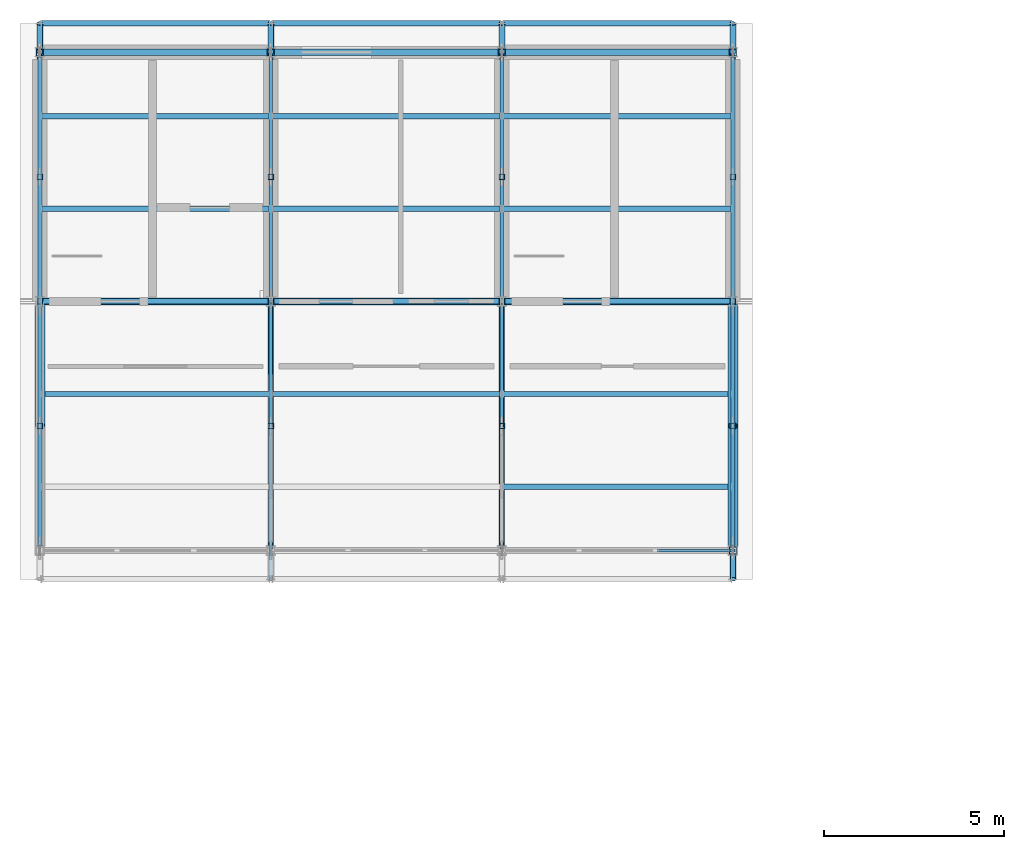
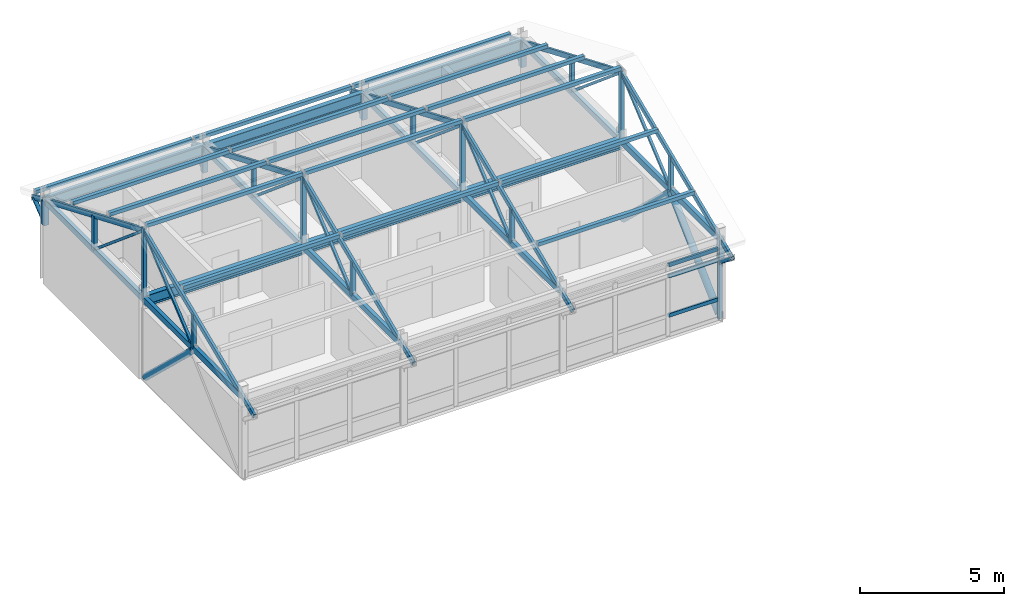
# One storey, part 2 of 11: 65 members, 6 beams, 1 element without a shape of its own.
"""IFC4 building model written with IfcOpenShell, lengths in metres."""

from ifc_helpers import new_model, si_unit, direction, frame, origin, origin_2d, place, context, subcontext, project, spatial, rectangle, hollow_rectangle, hollow_circle, i_section, extrude, material, layer, layer_set, material_profile, profile_set, type_object, element, aggregate, save


model = new_model("IFC4")

# Units and contexts
model_context = context("Model", 3, precision=1e-05, world=origin(), true_north=direction((0.0, 1.0)))
body_context = subcontext(model_context, "Body", "Model", "MODEL_VIEW")
ifc_project = project(units=[si_unit("LENGTHUNIT", "METRE"), si_unit("AREAUNIT", "SQUARE_METRE"), si_unit("VOLUMEUNIT", "CUBIC_METRE"), si_unit("PLANEANGLEUNIT", "RADIAN"), si_unit("MASSUNIT", "GRAM", prefix="KILO")], contexts=[model_context])

# Site, building, storey
site_placement = place(None, origin())
site = spatial("IfcSite", under=ifc_project, at=site_placement, CompositionType="ELEMENT")
building_placement = place(site_placement, origin())
building = spatial("IfcBuilding", under=site, at=building_placement, Name="Trelmorton Wharf Fire Station", CompositionType="ELEMENT")
storey_placement = place(building_placement, frame((0.0, 0.0, 25.199951171875)))
storey = spatial("IfcBuildingStorey", under=building, at=storey_placement, Name="L06", CompositionType="ELEMENT", Elevation=25.199951171875)

# Beams
ifc_material_1 = material(Name="Steel Grade 350", Category="steel")
ifc_material_profile_1 = material_profile(ifc_material_1, i_section(OverallWidth=0.18994140625, OverallDepth=0.45703125, WebThickness=0.009033203125, FlangeThickness=0.014404296875, FilletRadius=0.011474609375, at=origin_2d()), Name="460UB74.6")
ifc_profile_set_1 = profile_set([ifc_material_profile_1], Name="Steel Grade 350")
beam_type = type_object("IfcBeamType", Name="BM_460UB75", PredefinedType="BEAM", material=ifc_profile_set_1)
beam_1_placement = place(storey_placement, frame((70.803955078125, 67.199951171875, 3.29150390625), z_axis=(1.0, 0.0, 0.0), x_axis=(0.0, 1.0, 0.0)))
element("IfcBeam", 1, at=beam_1_placement, inside=storey, type_object=beam_type, Name="BM-L06-1196", PredefinedType="BEAM", context=body_context, shape_type="SweptSolid", body=[
    extrude(i_section(OverallWidth=0.18994140625, OverallDepth=0.45703125, WebThickness=0.009033203125, FlangeThickness=0.014404296875, FilletRadius=0.011474609375, at=origin_2d()), origin(), (0.0, 0.0, 1.0), 6.39208984375),
])
beam_2_placement = place(storey_placement, frame((77.2041015625, 67.199951171875, 3.29150390625), z_axis=(1.0, 0.0, 0.0), x_axis=(0.0, 1.0, 0.0)))
element("IfcBeam", 2, at=beam_2_placement, inside=storey, type_object=beam_type, Name="BM-L06-1197", PredefinedType="BEAM", context=body_context, shape_type="SweptSolid", body=[
    extrude(i_section(OverallWidth=0.18994140625, OverallDepth=0.45703125, WebThickness=0.009033203125, FlangeThickness=0.014404296875, FilletRadius=0.011474609375, at=origin_2d()), origin(), (0.0, 0.0, 1.0), 6.391845703125),
])
for number, where, z_axis, x_axis, name in (
    (3, (83.60400390625, 67.199951171875, 3.29150390625), (1.0, 0.0, 0.0), (0.0, 1.0, 0.0), "BM-L06-1198"),
    (4, (70.803955078125, 74.10009765625, 3.29150390625), (1.0, 0.0, 0.0), (0.0, 1.0, 0.0), "BM-L06-1199"),
):
    element("IfcBeam", number, at=place(storey_placement, frame(where, z_axis=z_axis, x_axis=x_axis)), inside=storey, type_object=beam_type, Name=name, PredefinedType="BEAM", context=body_context, shape_type="SweptSolid", body=[
        extrude(i_section(OverallWidth=0.18994140625, OverallDepth=0.45703125, WebThickness=0.009033203125, FlangeThickness=0.014404296875, FilletRadius=0.011474609375, at=origin_2d()), origin(), (0.0, 0.0, 1.0), 6.39208984375),
    ])
beam_3_placement = place(storey_placement, frame((77.2041015625, 74.10009765625, 3.29150390625), z_axis=(1.0, 0.0, 0.0), x_axis=(0.0, 1.0, 0.0)))
element("IfcBeam", 5, at=beam_3_placement, inside=storey, type_object=beam_type, Name="BM-L06-1200", PredefinedType="BEAM", context=body_context, shape_type="SweptSolid", body=[
    extrude(i_section(OverallWidth=0.18994140625, OverallDepth=0.45703125, WebThickness=0.009033203125, FlangeThickness=0.014404296875, FilletRadius=0.011474609375, at=origin_2d()), origin(), (0.0, 0.0, 1.0), 6.391845703125),
])
beam_4_placement = place(storey_placement, frame((83.60400390625, 74.10009765625, 3.29150390625), z_axis=(1.0, 0.0, 0.0), x_axis=(0.0, 1.0, 0.0)))
element("IfcBeam", 6, at=beam_4_placement, inside=storey, type_object=beam_type, Name="BM-L06-1201", PredefinedType="BEAM", context=body_context, shape_type="SweptSolid", body=[
    extrude(i_section(OverallWidth=0.18994140625, OverallDepth=0.45703125, WebThickness=0.009033203125, FlangeThickness=0.014404296875, FilletRadius=0.011474609375, at=origin_2d()), origin(), (0.0, 0.0, 1.0), 6.39208984375),
])

# Members
ifc_material_2 = material(Name="Steel C350L0 (350 MPa)", Category="steel")
ifc_material_profile_2 = material_profile(ifc_material_2, hollow_circle(Radius=0.136474609375, WallThickness=0.00927734375, at=origin_2d()), Name="273.1x9.3CHS")
ifc_profile_set_2 = profile_set([ifc_material_profile_2], Name="Steel C350L0 (350 MPa)")
member_type_1 = type_object("IfcMemberType", Name="BR_273CHS", PredefinedType="BRACE", material=ifc_profile_set_2)
member_1_placement = place(storey_placement, frame((70.800048828125, 67.072998046875, 0.1201171875), z_axis=(0.0, -0.724665699135, 0.689100590986), x_axis=(1.0, 0.0, 0.0)))
element("IfcMember", 7, at=member_1_placement, inside=storey, type_object=member_type_1, Name="CBF-V2-W-L06-B", PredefinedType="BRACE", context=body_context, shape_type="SweptSolid", body=[
    extrude(hollow_circle(Radius=0.136474609375, WallThickness=0.00927734375, at=origin_2d()), origin(), (0.0, 0.0, 1.0), 4.58544921875),
])
member_2_placement = place(storey_placement, frame((90.0, 60.422119140625, 0.1201171875), z_axis=(0.0, 0.725170756074, 0.688569077534), x_axis=(-1.0, 0.0, 0.0)))
element("IfcMember", 8, at=member_2_placement, inside=storey, type_object=member_type_1, Name="CBF-V2-E-L06-A", PredefinedType="BRACE", context=body_context, shape_type="SweptSolid", body=[
    extrude(hollow_circle(Radius=0.136474609375, WallThickness=0.00927734375, at=origin_2d()), origin(), (0.0, 0.0, 1.0), 4.589111328125),
])
member_3_placement = place(storey_placement, frame((90.0, 67.072998046875, 0.1201171875), z_axis=(0.0, -0.724665699135, 0.689100590986), x_axis=(1.0, 0.0, 0.0)))
element("IfcMember", 9, at=member_3_placement, inside=storey, type_object=member_type_1, Name="CBF-V2-E-L06-B", PredefinedType="BRACE", context=body_context, shape_type="SweptSolid", body=[
    extrude(hollow_circle(Radius=0.136474609375, WallThickness=0.00927734375, at=origin_2d()), origin(), (0.0, 0.0, 1.0), 4.58544921875),
])

# Curtain wall, members
ifc_material_3 = material(Name="Anodised aluminium AW-6063", Category="aluminium")
ifc_layer = layer(ifc_material_3, 0.159912109375)
ifc_layer_set = layer_set([ifc_layer], Name="Anodised aluminium AW-6063")
curtain_wall_type = type_object("IfcCurtainWallType", Name="CW_CHIC_A", PredefinedType="USERDEFINED", material=ifc_layer_set)
curtain_wall_placement = place(storey_placement, origin())
curtain_wall = element("IfcCurtainWall", 10, at=curtain_wall_placement, inside=storey, type_object=curtain_wall_type, Name="CW-V2-L06-112", ObjectType="CHICAGO BAY CURTAIN WALL", PredefinedType="USERDEFINED")
ifc_material_profile_3 = material_profile(ifc_material_3, rectangle(XDim=0.074951171875, YDim=0.175048828125, at=origin_2d()), Name="ALU-75x175")
ifc_profile_set_3 = profile_set([ifc_material_profile_3], Name="Anodised aluminium AW-6063")
member_type_2 = type_object("IfcMemberType", Name="CWM_75x175", PredefinedType="MULLION", material=ifc_profile_set_3)
member_4_placement = place(storey_placement, frame((89.965087890625, 60.300048828125, 0.0), z_axis=(0.0, 0.0, 1.0), x_axis=(0.0, -1.0, 0.0)))
member_4 = element("IfcMember", 11, at=member_4_placement, type_object=member_type_2, Name="CW1 mullion 1", PredefinedType="MULLION", context=body_context, shape_type="SweptSolid", body=[
    extrude(rectangle(XDim=0.074951171875, YDim=0.175048828125, at=origin_2d()), origin(), (0.0, 0.0, 1.0), 3.02001953125),
])
ifc_material_profile_4 = material_profile(ifc_material_3, rectangle(XDim=0.074951171875, YDim=0.155029296875, at=origin_2d()), Name="ALU-75x155")
ifc_profile_set_4 = profile_set([ifc_material_profile_4], Name="Anodised aluminium AW-6063")
member_type_3 = type_object("IfcMemberType", Name="CWT_75x155", PredefinedType="USERDEFINED", material=ifc_profile_set_4)
member_5_placement = place(storey_placement, frame((89.93505859375, 60.300048828125, 0.85009765625), z_axis=(-1.0, 0.0, 0.0), x_axis=(0.0, -1.0, 0.0)))
member_5 = element("IfcMember", 12, at=member_5_placement, type_object=member_type_3, Name="CW1 transom 1.2", ObjectType="TRANSOM", PredefinedType="USERDEFINED", context=body_context, shape_type="SweptSolid", body=[
    extrude(rectangle(XDim=0.074951171875, YDim=0.155029296875, at=origin_2d()), origin(), (0.0, 0.0, 1.0), 2.0400390625),
])
member_6_placement = place(storey_placement, frame((89.93505859375, 60.300048828125, 2.52001953125), z_axis=(-1.0, 0.0, 0.0), x_axis=(0.0, -1.0, 0.0)))
member_6 = element("IfcMember", 13, at=member_6_placement, type_object=member_type_3, Name="CW1 transom 1.3", ObjectType="TRANSOM", PredefinedType="USERDEFINED", context=body_context, shape_type="SweptSolid", body=[
    extrude(rectangle(XDim=0.074951171875, YDim=0.155029296875, at=origin_2d()), origin(), (0.0, 0.0, 1.0), 2.0400390625),
])
member_7_placement = place(storey_placement, frame((89.93505859375, 60.300048828125, 2.989990234375), z_axis=(-1.0, 0.0, 0.0), x_axis=(0.0, -1.0, 0.0)))
member_7 = element("IfcMember", 14, at=member_7_placement, type_object=member_type_3, Name="CW1 transom 1.4", ObjectType="TRANSOM", PredefinedType="USERDEFINED", context=body_context, shape_type="SweptSolid", body=[
    extrude(rectangle(XDim=0.074951171875, YDim=0.155029296875, at=origin_2d()), origin(), (0.0, 0.0, 1.0), 2.0400390625),
])
aggregate(curtain_wall, [member_4, member_5, member_6, member_7])

# Members
ifc_material_profile_5 = material_profile(ifc_material_2, hollow_rectangle(XDim=0.14990234375, YDim=0.14990234375, WallThickness=0.009033203125, at=origin_2d()), Name="150x150x9.0SHS")
ifc_profile_set_5 = profile_set([ifc_material_profile_5], Name="Steel C350L0 (350 MPa)")
member_type_4 = type_object("IfcMemberType", Name="PR_150SHS", PredefinedType="PURLIN", material=ifc_profile_set_5)
for number, where, z_axis, x_axis, name in (
    (15, (70.846923828125, 64.63330078125, 5.387939453125), (1.0, 0.0, 0.0), (0.0, 1.0, 0.0), "V2-PR-B01-S2"),
    (16, (70.846923828125, 67.199951171875, 6.466796875), (1.0, 0.0, 0.0), (0.0, 1.0, 0.0), "V2-PR-B01-S3"),
    (17, (70.846923828125, 69.7666015625, 5.387939453125), (1.0, 0.0, 0.0), (0.0, 1.0, 0.0), "V2-PR-B01-N1"),
    (18, (70.846923828125, 72.333251953125, 4.309326171875), (1.0, 0.0, 0.0), (0.0, 1.0, 0.0), "V2-PR-B01-N2"),
    (19, (70.846923828125, 74.89990234375, 3.23046875), (1.0, 0.0, 0.0), (0.0, 1.0, 0.0), "V2-PR-B01-N3"),
):
    element("IfcMember", number, at=place(storey_placement, frame(where, z_axis=z_axis, x_axis=x_axis)), inside=storey, type_object=member_type_4, Name=name, PredefinedType="PURLIN", context=body_context, shape_type="SweptSolid", body=[
        extrude(hollow_rectangle(XDim=0.14990234375, YDim=0.14990234375, WallThickness=0.009033203125, at=origin_2d()), origin(), (0.0, 0.0, 1.0), 6.30615234375),
    ])
for number, where, z_axis, x_axis, name in (
    (20, (77.2470703125, 64.63330078125, 5.387939453125), (1.0, 0.0, 0.0), (0.0, 1.0, 0.0), "V2-PR-B02-S2"),
    (21, (77.2470703125, 67.199951171875, 6.466796875), (1.0, 0.0, 0.0), (0.0, 1.0, 0.0), "V2-PR-B02-S3"),
    (22, (77.2470703125, 69.7666015625, 5.387939453125), (1.0, 0.0, 0.0), (0.0, 1.0, 0.0), "V2-PR-B02-N1"),
    (23, (77.2470703125, 72.333251953125, 4.309326171875), (1.0, 0.0, 0.0), (0.0, 1.0, 0.0), "V2-PR-B02-N2"),
    (24, (77.2470703125, 74.89990234375, 3.23046875), (1.0, 0.0, 0.0), (0.0, 1.0, 0.0), "V2-PR-B02-N3"),
    (25, (83.64697265625, 62.066650390625, 4.309326171875), (1.0, 0.0, 0.0), (0.0, 1.0, 0.0), "V2-PR-B03-S1"),
    (26, (83.64697265625, 64.63330078125, 5.387939453125), (1.0, 0.0, 0.0), (0.0, 1.0, 0.0), "V2-PR-B03-S2"),
    (27, (83.64697265625, 67.199951171875, 6.466796875), (1.0, 0.0, 0.0), (0.0, 1.0, 0.0), "V2-PR-B03-S3"),
    (28, (83.64697265625, 69.7666015625, 5.387939453125), (1.0, 0.0, 0.0), (0.0, 1.0, 0.0), "V2-PR-B03-N1"),
    (29, (83.64697265625, 72.333251953125, 4.309326171875), (1.0, 0.0, 0.0), (0.0, 1.0, 0.0), "V2-PR-B03-N2"),
    (30, (83.64697265625, 74.89990234375, 3.23046875), (1.0, 0.0, 0.0), (0.0, 1.0, 0.0), "V2-PR-B03-N3"),
):
    element("IfcMember", number, at=place(storey_placement, frame(where, z_axis=z_axis, x_axis=x_axis)), inside=storey, type_object=member_type_4, Name=name, PredefinedType="PURLIN", context=body_context, shape_type="SweptSolid", body=[
        extrude(hollow_rectangle(XDim=0.14990234375, YDim=0.14990234375, WallThickness=0.009033203125, at=origin_2d()), origin(), (0.0, 0.0, 1.0), 6.305908203125),
    ])
ifc_material_profile_6 = material_profile(ifc_material_2, hollow_rectangle(XDim=0.14990234375, YDim=0.25, WallThickness=0.009033203125, at=origin_2d()), Name="250x150x9.0RHS")
ifc_profile_set_6 = profile_set([ifc_material_profile_6], Name="Steel C350L0 (350 MPa)")
member_type_5 = type_object("IfcMemberType", Name="TR_CHORD_250RHS", PredefinedType="CHORD", material=ifc_profile_set_6)
member_8_placement = place(storey_placement, frame((70.800048828125, 60.4208984375, 3.366943359375), z_axis=(0.0, 1.0, 0.0), x_axis=(-1.0, 0.0, 0.0)))
element("IfcMember", 31, at=member_8_placement, inside=storey, type_object=member_type_5, Name="V2-TR01-BC", PredefinedType="CHORD", context=body_context, shape_type="SweptSolid", body=[
    extrude(hollow_rectangle(XDim=0.14990234375, YDim=0.25, WallThickness=0.009033203125, at=origin_2d()), origin(), (0.0, 0.0, 1.0), 13.55322265625),
])
for number, where, z_axis, x_axis, name in (
    (32, (77.199951171875, 60.426025390625, 3.366943359375), (0.0, 1.0, 0.0), (-1.0, 0.0, 0.0), "V2-TR02-BC"),
    (33, (83.60009765625, 60.426025390625, 3.366943359375), (0.0, 1.0, 0.0), (-1.0, 0.0, 0.0), "V2-TR03-BC"),
):
    element("IfcMember", number, at=place(storey_placement, frame(where, z_axis=z_axis, x_axis=x_axis)), inside=storey, type_object=member_type_5, Name=name, PredefinedType="CHORD", context=body_context, shape_type="SweptSolid", body=[
        extrude(hollow_rectangle(XDim=0.14990234375, YDim=0.25, WallThickness=0.009033203125, at=origin_2d()), origin(), (0.0, 0.0, 1.0), 13.548095703125),
    ])
member_9_placement = place(storey_placement, frame((90.0, 60.4208984375, 3.366943359375), z_axis=(0.0, 1.0, 0.0), x_axis=(-1.0, 0.0, 0.0)))
element("IfcMember", 34, at=member_9_placement, inside=storey, type_object=member_type_5, Name="V2-TR04-BC", PredefinedType="CHORD", context=body_context, shape_type="SweptSolid", body=[
    extrude(hollow_rectangle(XDim=0.14990234375, YDim=0.25, WallThickness=0.009033203125, at=origin_2d()), origin(), (0.0, 0.0, 1.0), 13.55322265625),
])
ifc_material_profile_7 = material_profile(ifc_material_2, hollow_rectangle(XDim=0.10009765625, YDim=0.10009765625, WallThickness=0.006103515625, at=origin_2d()), Name="100x100x6.0SHS")
ifc_profile_set_7 = profile_set([ifc_material_profile_7], Name="Steel C350L0 (350 MPa)")
member_type_6 = type_object("IfcMemberType", Name="TR_DIAG_100SHS", PredefinedType="STRUT", material=ifc_profile_set_7)
for number, where, z_axis, x_axis, name in (
    (35, (70.800048828125, 63.75, 3.366943359375), (0.0, 0.765492457934, 0.643444866983), (-1.0, 0.0, 0.0), "V2-TR01-DG-S1"),
    (36, (70.800048828125, 70.64990234375, 3.366943359375), (0.0, -0.765492457934, 0.643444866983), (1.0, 0.0, 0.0), "V2-TR01-DG-N1"),
    (37, (77.199951171875, 63.75, 3.366943359375), (0.0, 0.765492457934, 0.643444866983), (-1.0, 0.0, 0.0), "V2-TR02-DG-S1"),
    (38, (77.199951171875, 70.64990234375, 3.366943359375), (0.0, -0.765492457934, 0.643444866983), (1.0, 0.0, 0.0), "V2-TR02-DG-N1"),
    (39, (83.60009765625, 63.75, 3.366943359375), (0.0, 0.765492457934, 0.643444866983), (-1.0, 0.0, 0.0), "V2-TR03-DG-S1"),
    (40, (83.60009765625, 70.64990234375, 3.366943359375), (0.0, -0.765492457934, 0.643444866983), (1.0, 0.0, 0.0), "V2-TR03-DG-N1"),
    (41, (90.0, 63.75, 3.366943359375), (0.0, 0.765492457934, 0.643444866983), (-1.0, 0.0, 0.0), "V2-TR04-DG-S1"),
    (42, (90.0, 70.64990234375, 3.366943359375), (0.0, -0.765492457934, 0.643444866983), (1.0, 0.0, 0.0), "V2-TR04-DG-N1"),
):
    element("IfcMember", number, at=place(storey_placement, frame(where, z_axis=z_axis, x_axis=x_axis)), inside=storey, type_object=member_type_6, Name=name, PredefinedType="STRUT", context=body_context, shape_type="SweptSolid", body=[
        extrude(hollow_rectangle(XDim=0.10009765625, YDim=0.10009765625, WallThickness=0.006103515625, at=origin_2d()), origin(), (0.0, 0.0, 1.0), 4.5068359375),
    ])
ifc_material_profile_8 = material_profile(ifc_material_2, hollow_circle(Radius=0.084228515625, WallThickness=0.007080078125, at=origin_2d()), Name="168.3x7.1CHS")
ifc_profile_set_8 = profile_set([ifc_material_profile_8], Name="Steel C350L0 (350 MPa)")
member_type_7 = type_object("IfcMemberType", Name="TR_DIAG_168CHS", PredefinedType="STRUT", material=ifc_profile_set_8)
for number, where, z_axis, x_axis, name in (
    (43, (70.800048828125, 74.10009765625, 2.400146484375), (0.0, 0.785269165628, 0.619154534437), (-1.0, 0.0, 0.0), "V2-TR01-EAV-N"),
    (44, (77.199951171875, 74.10009765625, 2.400146484375), (0.0, 0.785269165628, 0.619154534437), (-1.0, 0.0, 0.0), "V2-TR02-EAV-N"),
    (45, (83.60009765625, 74.10009765625, 2.400146484375), (0.0, 0.785269165628, 0.619154534437), (-1.0, 0.0, 0.0), "V2-TR03-EAV-N"),
):
    element("IfcMember", number, at=place(storey_placement, frame(where, z_axis=z_axis, x_axis=x_axis)), inside=storey, type_object=member_type_7, Name=name, PredefinedType="STRUT", context=body_context, shape_type="SweptSolid", body=[
        extrude(hollow_circle(Radius=0.084228515625, WallThickness=0.007080078125, at=origin_2d()), origin(), (0.0, 0.0, 1.0), 1.0185546875),
    ])
member_10_placement = place(storey_placement, frame((90.0, 60.300048828125, 2.400146484375), z_axis=(0.0, -0.785361030644, 0.619038004929), x_axis=(1.0, 0.0, 0.0)))
element("IfcMember", 46, at=member_10_placement, inside=storey, type_object=member_type_7, Name="V2-TR04-EAV-S", PredefinedType="STRUT", context=body_context, shape_type="SweptSolid", body=[
    extrude(hollow_circle(Radius=0.084228515625, WallThickness=0.007080078125, at=origin_2d()), origin(), (0.0, 0.0, 1.0), 1.018798828125),
])
member_11_placement = place(storey_placement, frame((90.0, 74.10009765625, 2.400146484375), z_axis=(0.0, 0.785269165628, 0.619154534437), x_axis=(-1.0, 0.0, 0.0)))
element("IfcMember", 47, at=member_11_placement, inside=storey, type_object=member_type_7, Name="V2-TR04-EAV-N", PredefinedType="STRUT", context=body_context, shape_type="SweptSolid", body=[
    extrude(hollow_circle(Radius=0.084228515625, WallThickness=0.007080078125, at=origin_2d()), origin(), (0.0, 0.0, 1.0), 1.0185546875),
])
ifc_material_profile_9 = material_profile(ifc_material_2, hollow_rectangle(XDim=0.14990234375, YDim=0.14990234375, WallThickness=0.009033203125, at=origin_2d()), Name="150x150x9.0SHS")
ifc_profile_set_9 = profile_set([ifc_material_profile_9], Name="Steel C350L0 (350 MPa)")
member_type_8 = type_object("IfcMemberType", Name="TR_POST_150SHS", PredefinedType="POST", material=ifc_profile_set_9)
member_12_placement = place(storey_placement, frame((70.800048828125, 67.199951171875, 3.366943359375), z_axis=(0.0, 0.0, 1.0), x_axis=(1.0, 0.0, 0.0)))
element("IfcMember", 48, at=member_12_placement, inside=storey, type_object=member_type_8, Name="V2-TR01-KP", PredefinedType="POST", context=body_context, shape_type="SweptSolid", body=[
    extrude(hollow_rectangle(XDim=0.14990234375, YDim=0.14990234375, WallThickness=0.009033203125, at=origin_2d()), origin(), (0.0, 0.0, 1.0), 3.02880859375),
])
for number, where, z_axis, x_axis, name in (
    (49, (70.800048828125, 63.75, 3.366943359375), (0.0, 0.0, 1.0), (1.0, 0.0, 0.0), "V2-TR01-VP-S1"),
    (50, (70.800048828125, 70.64990234375, 3.366943359375), (0.0, 0.0, 1.0), (1.0, 0.0, 0.0), "V2-TR01-VP-N1"),
):
    element("IfcMember", number, at=place(storey_placement, frame(where, z_axis=z_axis, x_axis=x_axis)), inside=storey, type_object=member_type_8, Name=name, PredefinedType="POST", context=body_context, shape_type="SweptSolid", body=[
        extrude(hollow_rectangle(XDim=0.14990234375, YDim=0.14990234375, WallThickness=0.009033203125, at=origin_2d()), origin(), (0.0, 0.0, 1.0), 1.449951171875),
    ])
member_13_placement = place(storey_placement, frame((77.199951171875, 67.199951171875, 3.366943359375), z_axis=(0.0, 0.0, 1.0), x_axis=(1.0, 0.0, 0.0)))
element("IfcMember", 51, at=member_13_placement, inside=storey, type_object=member_type_8, Name="V2-TR02-KP", PredefinedType="POST", context=body_context, shape_type="SweptSolid", body=[
    extrude(hollow_rectangle(XDim=0.14990234375, YDim=0.14990234375, WallThickness=0.009033203125, at=origin_2d()), origin(), (0.0, 0.0, 1.0), 3.02880859375),
])
for number, where, z_axis, x_axis, name in (
    (52, (77.199951171875, 63.75, 3.366943359375), (0.0, 0.0, 1.0), (1.0, 0.0, 0.0), "V2-TR02-VP-S1"),
    (53, (77.199951171875, 70.64990234375, 3.366943359375), (0.0, 0.0, 1.0), (1.0, 0.0, 0.0), "V2-TR02-VP-N1"),
):
    element("IfcMember", number, at=place(storey_placement, frame(where, z_axis=z_axis, x_axis=x_axis)), inside=storey, type_object=member_type_8, Name=name, PredefinedType="POST", context=body_context, shape_type="SweptSolid", body=[
        extrude(hollow_rectangle(XDim=0.14990234375, YDim=0.14990234375, WallThickness=0.009033203125, at=origin_2d()), origin(), (0.0, 0.0, 1.0), 1.449951171875),
    ])
member_14_placement = place(storey_placement, frame((83.60009765625, 67.199951171875, 3.366943359375), z_axis=(0.0, 0.0, 1.0), x_axis=(1.0, 0.0, 0.0)))
element("IfcMember", 54, at=member_14_placement, inside=storey, type_object=member_type_8, Name="V2-TR03-KP", PredefinedType="POST", context=body_context, shape_type="SweptSolid", body=[
    extrude(hollow_rectangle(XDim=0.14990234375, YDim=0.14990234375, WallThickness=0.009033203125, at=origin_2d()), origin(), (0.0, 0.0, 1.0), 3.02880859375),
])
for number, where, z_axis, x_axis, name in (
    (55, (83.60009765625, 63.75, 3.366943359375), (0.0, 0.0, 1.0), (1.0, 0.0, 0.0), "V2-TR03-VP-S1"),
    (56, (83.60009765625, 70.64990234375, 3.366943359375), (0.0, 0.0, 1.0), (1.0, 0.0, 0.0), "V2-TR03-VP-N1"),
):
    element("IfcMember", number, at=place(storey_placement, frame(where, z_axis=z_axis, x_axis=x_axis)), inside=storey, type_object=member_type_8, Name=name, PredefinedType="POST", context=body_context, shape_type="SweptSolid", body=[
        extrude(hollow_rectangle(XDim=0.14990234375, YDim=0.14990234375, WallThickness=0.009033203125, at=origin_2d()), origin(), (0.0, 0.0, 1.0), 1.449951171875),
    ])
member_15_placement = place(storey_placement, frame((90.0, 67.199951171875, 3.366943359375), z_axis=(0.0, 0.0, 1.0), x_axis=(1.0, 0.0, 0.0)))
element("IfcMember", 57, at=member_15_placement, inside=storey, type_object=member_type_8, Name="V2-TR04-KP", PredefinedType="POST", context=body_context, shape_type="SweptSolid", body=[
    extrude(hollow_rectangle(XDim=0.14990234375, YDim=0.14990234375, WallThickness=0.009033203125, at=origin_2d()), origin(), (0.0, 0.0, 1.0), 3.02880859375),
])
for number, where, z_axis, x_axis, name in (
    (58, (90.0, 63.75, 3.366943359375), (0.0, 0.0, 1.0), (1.0, 0.0, 0.0), "V2-TR04-VP-S1"),
    (59, (90.0, 70.64990234375, 3.366943359375), (0.0, 0.0, 1.0), (1.0, 0.0, 0.0), "V2-TR04-VP-N1"),
):
    element("IfcMember", number, at=place(storey_placement, frame(where, z_axis=z_axis, x_axis=x_axis)), inside=storey, type_object=member_type_8, Name=name, PredefinedType="POST", context=body_context, shape_type="SweptSolid", body=[
        extrude(hollow_rectangle(XDim=0.14990234375, YDim=0.14990234375, WallThickness=0.009033203125, at=origin_2d()), origin(), (0.0, 0.0, 1.0), 1.449951171875),
    ])
ifc_material_profile_10 = material_profile(ifc_material_2, hollow_rectangle(XDim=0.199951171875, YDim=0.199951171875, WallThickness=0.010009765625, at=origin_2d()), Name="200x200x10.0SHS")
ifc_profile_set_10 = profile_set([ifc_material_profile_10], Name="Steel C350L0 (350 MPa)")
member_type_9 = type_object("IfcMemberType", Name="TR_POST_200SHS", PredefinedType="POST", material=ifc_profile_set_10)
for number, where, z_axis, x_axis, name in (
    (60, (70.800048828125, 74.10009765625, 2.35009765625), (0.0, 0.0, 1.0), (1.0, 0.0, 0.0), "V2-TR01-SHN"),
    (61, (77.199951171875, 74.10009765625, 2.35009765625), (0.0, 0.0, 1.0), (1.0, 0.0, 0.0), "V2-TR02-SHN"),
    (62, (83.60009765625, 74.10009765625, 2.35009765625), (0.0, 0.0, 1.0), (1.0, 0.0, 0.0), "V2-TR03-SHN"),
    (63, (90.0, 60.300048828125, 2.35009765625), (0.0, 0.0, 1.0), (1.0, 0.0, 0.0), "V2-TR04-SHS"),
    (64, (90.0, 74.10009765625, 2.35009765625), (0.0, 0.0, 1.0), (1.0, 0.0, 0.0), "V2-TR04-SHN"),
):
    element("IfcMember", number, at=place(storey_placement, frame(where, z_axis=z_axis, x_axis=x_axis)), inside=storey, type_object=member_type_9, Name=name, PredefinedType="POST", context=body_context, shape_type="SweptSolid", body=[
        extrude(hollow_rectangle(XDim=0.199951171875, YDim=0.199951171875, WallThickness=0.010009765625, at=origin_2d()), origin(), (0.0, 0.0, 1.0), 1.016845703125),
    ])
ifc_material_profile_11 = material_profile(ifc_material_2, hollow_rectangle(XDim=0.10009765625, YDim=0.199951171875, WallThickness=0.006103515625, at=origin_2d()), Name="200x100x6.0RHS")
ifc_profile_set_11 = profile_set([ifc_material_profile_11], Name="Steel C350L0 (350 MPa)")
member_type_10 = type_object("IfcMemberType", Name="TR_RAFT_200RHS", PredefinedType="RAFTER", material=ifc_profile_set_11)
for number, where, z_axis, x_axis, name in (
    (65, (70.800048828125, 59.5, 3.03076171875), (0.0, 0.921892123986, 0.387446656629), (-1.0, 0.0, 0.0), "V2-TR01-RFS"),
    (66, (70.800048828125, 67.199951171875, 6.266845703125), (0.0, 0.921892123986, -0.387446656629), (-1.0, 0.0, 0.0), "V2-TR01-RFN"),
    (67, (77.199951171875, 59.5, 3.03076171875), (0.0, 0.921892123986, 0.387446656629), (-1.0, 0.0, 0.0), "V2-TR02-RFS"),
    (68, (77.199951171875, 67.199951171875, 6.266845703125), (0.0, 0.921892123986, -0.387446656629), (-1.0, 0.0, 0.0), "V2-TR02-RFN"),
    (69, (83.60009765625, 59.5, 3.03076171875), (0.0, 0.921892123986, 0.387446656629), (-1.0, 0.0, 0.0), "V2-TR03-RFS"),
    (70, (83.60009765625, 67.199951171875, 6.266845703125), (0.0, 0.921892123986, -0.387446656629), (-1.0, 0.0, 0.0), "V2-TR03-RFN"),
    (71, (90.0, 59.5, 3.03076171875), (0.0, 0.921892123986, 0.387446656629), (-1.0, 0.0, 0.0), "V2-TR04-RFS"),
    (72, (90.0, 67.199951171875, 6.266845703125), (0.0, 0.921892123986, -0.387446656629), (-1.0, 0.0, 0.0), "V2-TR04-RFN"),
):
    element("IfcMember", number, at=place(storey_placement, frame(where, z_axis=z_axis, x_axis=x_axis)), inside=storey, type_object=member_type_10, Name=name, PredefinedType="RAFTER", context=body_context, shape_type="SweptSolid", body=[
        extrude(hollow_rectangle(XDim=0.10009765625, YDim=0.199951171875, WallThickness=0.006103515625, at=origin_2d()), origin(), (0.0, 0.0, 1.0), 8.352294921875),
    ])

save(model, "model.ifc")
